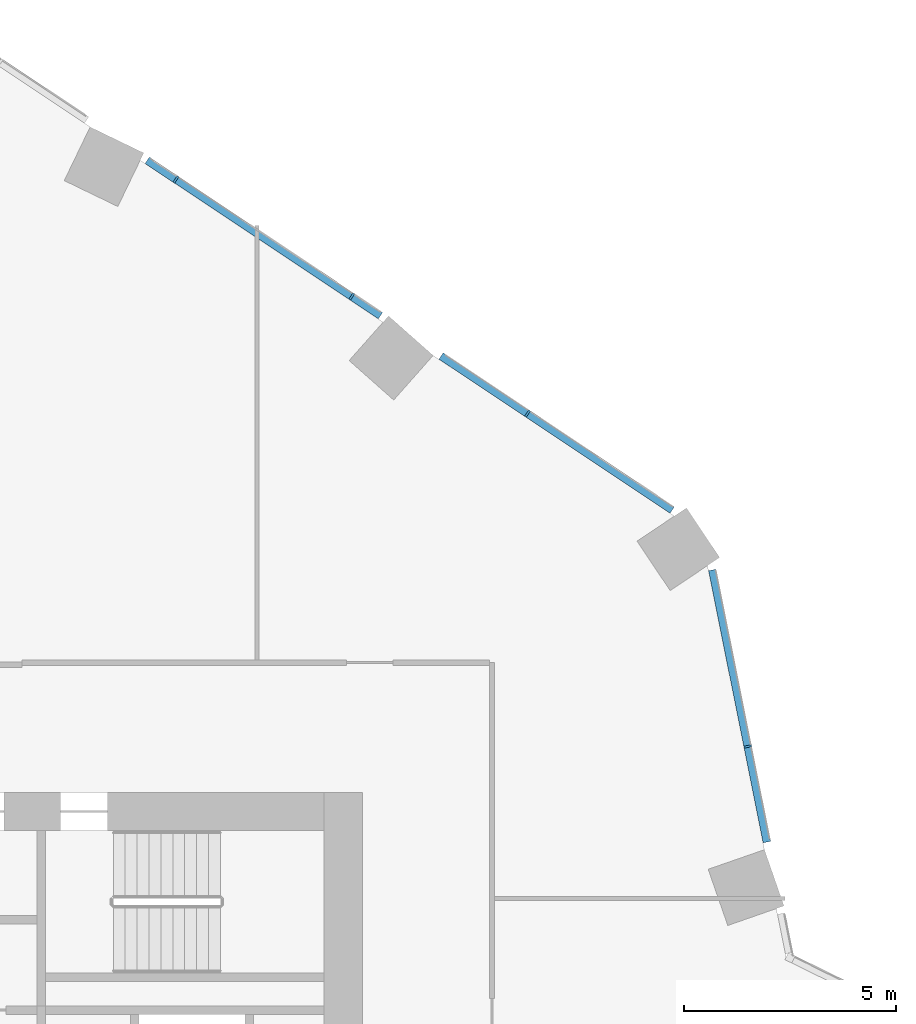
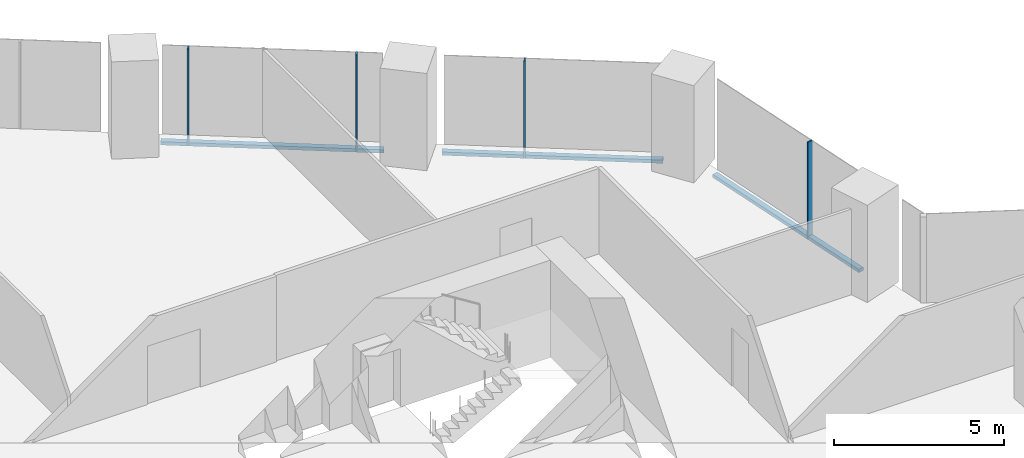
# One storey, part 15 of 38: 7 members, 2 elements without a shape of their own.
"""IFC4 building model written with IfcOpenShell, lengths in metres."""

from ifc_helpers import new_model, si_unit, direction, frame, origin, origin_2d, place, context, subcontext, project, spatial, rectangle, extrude, material, material_profile, profile_set, type_object, element, aggregate, save


model = new_model("IFC4")

# Units and contexts
model_context = context("Model", 3, precision=1e-05, world=origin(), true_north=direction((0.0, 1.0)))
body_context = subcontext(model_context, "Body", "Model", "MODEL_VIEW")
ifc_project = project(units=[si_unit("LENGTHUNIT", "METRE"), si_unit("AREAUNIT", "SQUARE_METRE"), si_unit("VOLUMEUNIT", "CUBIC_METRE"), si_unit("PLANEANGLEUNIT", "RADIAN"), si_unit("MASSUNIT", "GRAM", prefix="KILO")], contexts=[model_context])

# Site, building, storey
site_placement = place(None, origin())
site = spatial("IfcSite", under=ifc_project, at=site_placement, CompositionType="ELEMENT")
building_placement = place(site_placement, origin())
building = spatial("IfcBuilding", under=site, at=building_placement, Name="Orlundy Tower", CompositionType="ELEMENT")
storey_placement = place(building_placement, frame((0.0, 0.0, 62.300048828125)))
storey = spatial("IfcBuildingStorey", under=building, at=storey_placement, Name="L14", CompositionType="ELEMENT", Elevation=62.300048828125)

# Curtain wall, members
ifc_material_1 = material(Name="Aluminium bronze anodised", Category="aluminium")
curtain_wall_type = type_object("IfcCurtainWallType", Name="CW1 wall", PredefinedType="NOTDEFINED", material=ifc_material_1)
curtain_wall_1_placement = place(storey_placement, origin())
curtain_wall_1 = element("IfcCurtainWall", 1, at=curtain_wall_1_placement, inside=storey, type_object=curtain_wall_type, Name="CW1 run 016", PredefinedType="NOTDEFINED")
ifc_material_2 = material(Name="Aluminium bronze anodised", Category="aluminium")
ifc_material_profile_1 = material_profile(ifc_material_2, rectangle(XDim=0.179931640625, YDim=0.050048828125, at=origin_2d()), Name="CW1 mullion 50x180")
ifc_profile_set_1 = profile_set([ifc_material_profile_1], Name="Aluminium bronze anodised")
member_type_1 = type_object("IfcMemberType", Name="CW1 mullion 50x180", PredefinedType="MULLION", material=ifc_profile_set_1)
member_1_placement = place(storey_placement, frame((14.612548828125, 26.421142578125, -0.400146484375), z_axis=(0.0, 0.0, 1.0), x_axis=(0.554356579774, 0.832279269513, 0.0)))
member_1 = element("IfcMember", 2, at=member_1_placement, type_object=member_type_1, Name="CW1 mullion 46", PredefinedType="MULLION", context=body_context, shape_type="SweptSolid", body=[
    extrude(rectangle(XDim=0.179931640625, YDim=0.050048828125, at=origin_2d()), origin(), (0.0, 0.0, 1.0), 3.5),
])
member_2_placement = place(storey_placement, frame((18.749267578125, 23.665771484375, -0.400146484375), z_axis=(0.0, 0.0, 1.0), x_axis=(0.554356579774, 0.832279269513, 0.0)))
member_2 = element("IfcMember", 3, at=member_2_placement, type_object=member_type_1, Name="CW1 mullion 47", PredefinedType="MULLION", context=body_context, shape_type="SweptSolid", body=[
    extrude(rectangle(XDim=0.179931640625, YDim=0.050048828125, at=origin_2d()), origin(), (0.0, 0.0, 1.0), 3.5),
])
member_3_placement = place(storey_placement, frame((22.885986328125, 20.910400390625, -0.400146484375), z_axis=(0.0, 0.0, 1.0), x_axis=(0.554356579774, 0.832279269513, 0.0)))
member_3 = element("IfcMember", 4, at=member_3_placement, type_object=member_type_1, Name="CW1 mullion 48", PredefinedType="MULLION", context=body_context, shape_type="SweptSolid", body=[
    extrude(rectangle(XDim=0.179931640625, YDim=0.050048828125, at=origin_2d()), origin(), (0.0, 0.0, 1.0), 3.5),
])

# Curtain wall, member
curtain_wall_2_placement = place(storey_placement, origin())
curtain_wall_2 = element("IfcCurtainWall", 5, at=curtain_wall_2_placement, inside=storey, type_object=curtain_wall_type, Name="CW1 run 017", PredefinedType="NOTDEFINED")
member_4_placement = place(storey_placement, frame((28.067138671875, 13.07861328125, -0.400146484375), z_axis=(0.0, 0.0, 1.0), x_axis=(0.980497937474, 0.196529373401, 0.0)))
member_4 = element("IfcMember", 6, at=member_4_placement, type_object=member_type_1, Name="CW1 mullion 50", PredefinedType="MULLION", context=body_context, shape_type="SweptSolid", body=[
    extrude(rectangle(XDim=0.179931640625, YDim=0.050048828125, at=origin_2d()), origin(), (0.0, 0.0, 1.0), 3.5),
])

# Member
ifc_material_3 = material(Name="Aluminium bronze anodised", Category="aluminium")
ifc_material_profile_2 = material_profile(ifc_material_3, rectangle(XDim=0.179931640625, YDim=0.1201171875, at=origin_2d()), Name="CW1 transom 180x120")
ifc_profile_set_2 = profile_set([ifc_material_profile_2], Name="Aluminium bronze anodised")
member_type_2 = type_object("IfcMemberType", Name="CW1 transom 180x120", PredefinedType="USERDEFINED", material=ifc_profile_set_2)
member_5_placement = place(storey_placement, frame((13.9375, 26.87060546875, -0.340087890625), z_axis=(0.832295194407, -0.554332670304, 0.0), x_axis=(0.554332670304, 0.832295194407, 0.0)))
member_5 = element("IfcMember", 7, at=member_5_placement, type_object=member_type_2, Name="CW1 transom", ObjectType="TRANSOM", PredefinedType="USERDEFINED", context=body_context, shape_type="SweptSolid", body=[
    extrude(rectangle(XDim=0.179931640625, YDim=0.1201171875, at=origin_2d()), origin(), (0.0, 0.0, 1.0), 6.5927734375),
])

member_6_placement = place(storey_placement, frame((20.852783203125, 22.2646484375, -0.340087890625), z_axis=(0.832274498629, -0.55436374244, 0.0), x_axis=(0.55436374244, 0.832274498629, 0.0)))
member_6 = element("IfcMember", 8, at=member_6_placement, type_object=member_type_2, Name="CW1 transom", ObjectType="TRANSOM", PredefinedType="USERDEFINED", context=body_context, shape_type="SweptSolid", body=[
    extrude(rectangle(XDim=0.179931640625, YDim=0.1201171875, at=origin_2d()), origin(), (0.0, 0.0, 1.0), 6.531494140625),
])

aggregate(curtain_wall_1, [member_1, member_2, member_3, member_5, member_6])

member_7_placement = place(storey_placement, frame((27.23486328125, 17.2314453125, -0.340087890625), z_axis=(0.196533104282, -0.980497189655, 0.0), x_axis=(0.980497189655, 0.196533104282, 0.0)))
member_7 = element("IfcMember", 9, at=member_7_placement, type_object=member_type_2, Name="CW1 transom", ObjectType="TRANSOM", PredefinedType="USERDEFINED", context=body_context, shape_type="SweptSolid", body=[
    extrude(rectangle(XDim=0.179931640625, YDim=0.1201171875, at=origin_2d()), origin(), (0.0, 0.0, 1.0), 6.530517578125),
])

aggregate(curtain_wall_2, [member_4, member_7])

save(model, "model.ifc")
